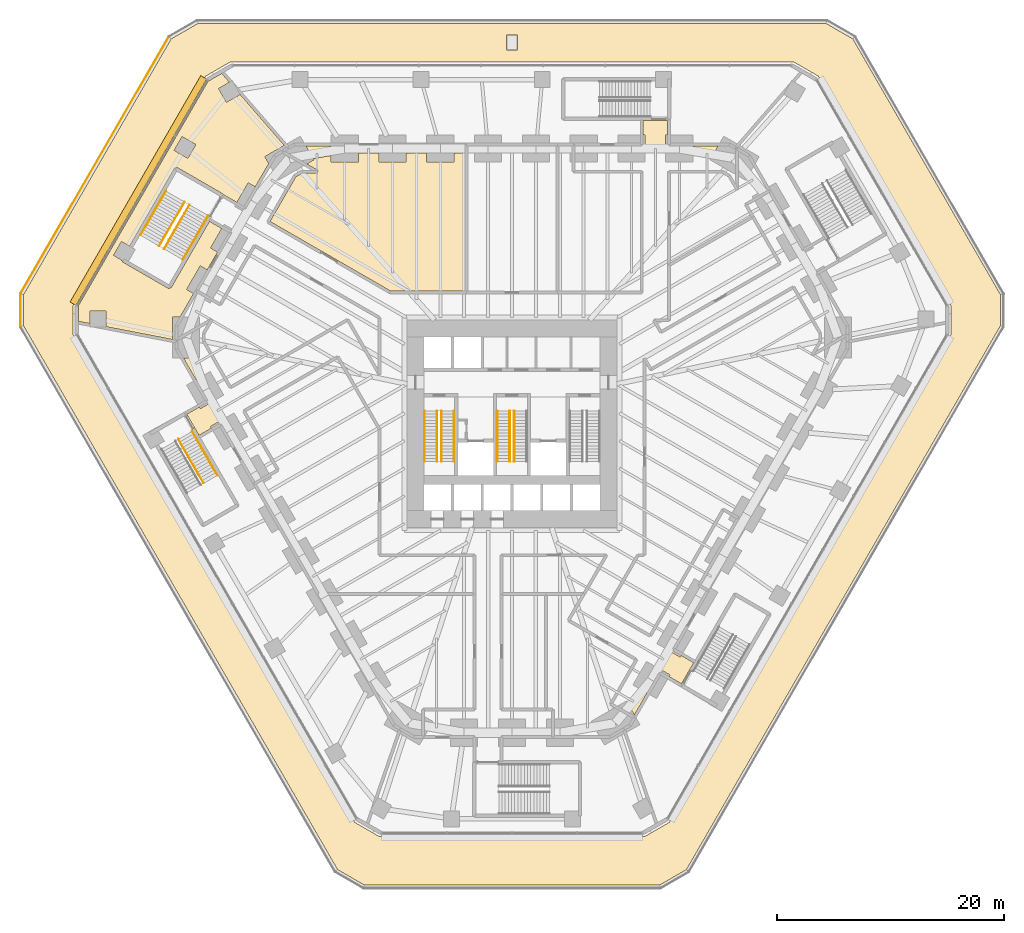
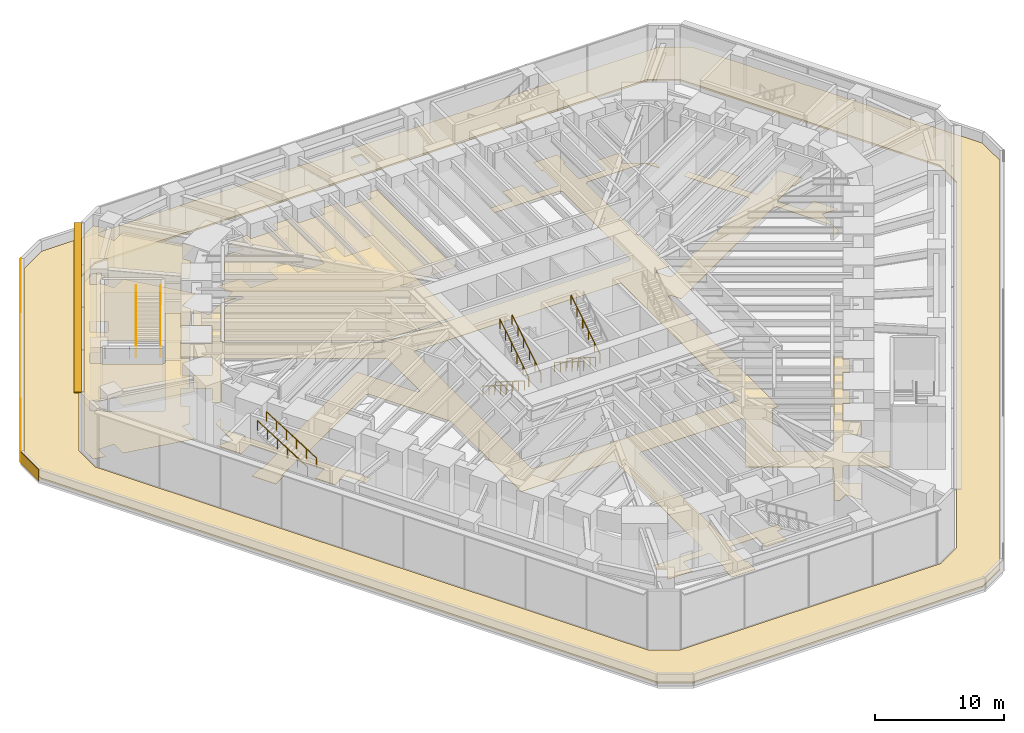
# One storey, part 22 of 24: 13 railings, 8 coverings, 1 shading device.
"""IFC4 building model written with IfcOpenShell, lengths in metres."""

from ifc_helpers import new_model, si_unit, direction, frame, frame_2d, origin, origin_2d, place, context, subcontext, project, spatial, polyline, rectangle, circle, outline, extrude, material, layer, layer_set, type_object, element, save


model = new_model("IFC4")

# Units and contexts
model_context = context("Model", 3, precision=1e-05, world=origin(), true_north=direction((0.0, 1.0)))
body_context = subcontext(model_context, "Body", "Model", "MODEL_VIEW")
ifc_project = project(units=[si_unit("LENGTHUNIT", "METRE"), si_unit("AREAUNIT", "SQUARE_METRE"), si_unit("VOLUMEUNIT", "CUBIC_METRE"), si_unit("PLANEANGLEUNIT", "RADIAN"), si_unit("MASSUNIT", "GRAM", prefix="KILO")], contexts=[model_context])

# Site, building, storey
site_placement = place(None, origin())
site = spatial("IfcSite", under=ifc_project, at=site_placement, CompositionType="ELEMENT")
building_placement = place(site_placement, origin())
building = spatial("IfcBuilding", under=site, at=building_placement, Name="Sandreach Pilgrim Tower", CompositionType="ELEMENT")
storey_placement = place(building_placement, frame((0.0, 0.0, 12.0)))
storey = spatial("IfcBuildingStorey", under=building, at=storey_placement, Name="L02", CompositionType="ELEMENT", Elevation=12.0)

# Coverings
ifc_material_1 = material(Name="Nylon carpet tile on the slab", Category="textile")
ifc_layer_1 = layer(ifc_material_1, 0.008056640625)
ifc_layer_set_1 = layer_set([ifc_layer_1], Name="Carpet tile")
covering_type_1 = type_object("IfcCoveringType", Name="Carpet tile", PredefinedType="FLOORING", material=ifc_layer_set_1)
covering_1_placement = place(storey_placement, origin())
element("IfcCovering", 1, at=covering_1_placement, inside=storey, type_object=covering_type_1, Name="Floor finish 02B2 Women's prayer anteroom", PredefinedType="FLOORING", context=body_context, shape_type="SweptSolid", body=[
    extrude(outline(polyline([(-5.114990234375, 22.925048828125), (-4.125, 22.925048828125), (-4.125, 10.14501953125), (-10.696533203125, 10.14501953125), (-21.309326171875, 16.265869140625), (-19.038330078125, 20.19873046875), (-18.476318359375, 20.52490234375), (-17.139892578125, 20.52490234375), (-17.07763671875, 20.75830078125), (-18.075439453125, 21.3330078125), (-17.447509765625, 21.695556640625), (-18.1572265625, 22.925048828125), (-15.934814453125, 22.925048828125), (-15.934814453125, 21.48876953125), (-13.53466796875, 21.48876953125), (-13.53466796875, 22.925048828125), (-11.724853515625, 22.925048828125), (-11.724853515625, 21.48876953125), (-9.32470703125, 21.48876953125), (-9.32470703125, 22.925048828125), (-7.514892578125, 22.925048828125), (-7.514892578125, 21.48876953125), (-5.114990234375, 21.48876953125), (-5.114990234375, 22.925048828125)])), origin(), (0.0, 0.0, 1.0), 0.008056640625),
])
ifc_material_2 = material(Name="Gypsum board suspended ceiling on a steel grid", Category="steel")
ifc_layer_2 = layer(ifc_material_2, 0.012939453125)
ifc_layer_set_2 = layer_set([ifc_layer_2], Name="Gypsum board suspended ceiling")
covering_type_2 = type_object("IfcCoveringType", Name="Gypsum board suspended ceiling", PredefinedType="CEILING", material=ifc_layer_set_2)
covering_2_placement = place(storey_placement, frame((0.0, 0.0, 4.64990234375)))
element("IfcCovering", 2, at=covering_2_placement, inside=storey, type_object=covering_type_2, Name="Ceiling 02B2 Women's prayer anteroom", PredefinedType="CEILING", context=body_context, shape_type="SweptSolid", body=[
    extrude(outline(polyline([(-15.934814453125, 22.072265625), (-15.934814453125, 21.48876953125), (-13.53466796875, 21.48876953125), (-13.53466796875, 22.288818359375), (-11.724853515625, 22.288818359375), (-11.724853515625, 21.48876953125), (-9.32470703125, 21.48876953125), (-9.32470703125, 22.288818359375), (-7.514892578125, 22.288818359375), (-7.514892578125, 21.48876953125), (-5.114990234375, 21.48876953125), (-5.114990234375, 22.288818359375), (-4.125, 22.288818359375), (-4.125, 10.14501953125), (-10.696533203125, 10.14501953125), (-21.309326171875, 16.265869140625), (-19.038330078125, 20.19873046875), (-18.476318359375, 20.52490234375), (-17.139892578125, 20.52490234375), (-17.07763671875, 20.75830078125), (-18.075439453125, 21.3330078125), (-17.447509765625, 21.695556640625), (-17.505859375, 21.796875), (-15.934814453125, 22.072265625)])), origin(), (0.0, 0.0, 1.0), 0.01318359375),
])
ifc_material_3 = material(Name="Moisture-resistant gypsum board suspended ceiling on a steel grid", Category="steel")
ifc_layer_3 = layer(ifc_material_3, 0.01611328125)
ifc_layer_set_3 = layer_set([ifc_layer_3], Name="Moisture-resistant gypsum board ceiling")
covering_type_3 = type_object("IfcCoveringType", Name="Moisture-resistant gypsum board ceiling", PredefinedType="CEILING", material=ifc_layer_set_3)
covering_3_placement = place(storey_placement, frame((0.0, 0.0, 4.5)))
element("IfcCovering", 3, at=covering_3_placement, inside=storey, type_object=covering_type_3, Name="Ceiling 0206 Ablution room block west", PredefinedType="CEILING", context=body_context, shape_type="SweptSolid", body=[
    extrude(outline(polyline([(-38.156982421875, 8.887451171875), (-26.775390625, 28.60107421875), (-25.55126953125, 29.3076171875), (-24.875, 28.52783203125), (-25.84130859375, 27.969970703125), (-25.141357421875, 26.75732421875), (-23.940673828125, 27.45068359375), (-20.050048828125, 22.96435546875), (-21.76513671875, 21.97412109375), (-21.417236328125, 21.371337890625), (-22.608154296875, 19.31396484375), (-23.22705078125, 19.67138671875), (-24.2216796875, 17.94873046875), (-25.4453125, 18.6494140625), (-25.4287109375, 18.677978515625), (-29.4990234375, 21.02783203125), (-29.52392578125, 20.98486328125), (-29.610595703125, 21.03466796875), (-29.6611328125, 20.9482421875), (-29.703857421875, 20.972900390625), (-33.67724609375, 14.09130859375), (-34.38525390625, 14.500244140625), (-35.085205078125, 13.28759765625), (-34.333984375, 12.853759765625), (-34.299072265625, 12.714111328125), (-30.228759765625, 10.364013671875), (-30.204345703125, 10.406494140625), (-30.1171875, 10.357421875), (-30.06640625, 10.443603515625), (-30.02392578125, 10.4189453125), (-26.636962890625, 16.285400390625), (-25.54736328125, 15.652587890625), (-26.538330078125, 13.936279296875), (-25.921630859375, 13.580322265625), (-26.83349609375, 12.00244140625), (-27.449462890625, 12.358154296875), (-28.6494140625, 10.279541015625), (-28.0341796875, 9.92431640625), (-29.22216796875, 7.862060546875), (-29.91259765625, 7.862060546875), (-29.91259765625, 5.879150390625), (-35.743408203125, 7.00439453125), (-35.743408203125, 8.394287109375), (-37.143310546875, 8.394287109375), (-37.143310546875, 7.2744140625), (-38.156982421875, 7.469970703125), (-38.156982421875, 8.887451171875)]), holes=[polyline([(-29.750244140625, 22.528564453125), (-28.53759765625, 21.828369140625), (-27.837646484375, 23.041015625), (-29.050048828125, 23.740966796875), (-29.750244140625, 22.528564453125)])]), origin(), (0.0, 0.0, 1.0), 0.01611328125),
])

# Shading device
ifc_material_4 = material(Name="Extruded aluminium sunshade blade, powder coated", Category="aluminium")
ifc_layer_4 = layer(ifc_material_4, 0.10009765625)
ifc_layer_set_4 = layer_set([ifc_layer_4], Name="Podium sunshade 600")
shading_device_type = type_object("IfcShadingDeviceType", Name="Podium sunshade 600", PredefinedType="AWNING", material=ifc_layer_set_4)
shading_device_placement = place(storey_placement, frame((-32.899169921875, 18.994384765625, 5.5), z_axis=(0.0, 0.0, 1.0), x_axis=(0.5, 0.866025403784, 0.0)))
element("IfcShadingDevice", 4, at=shading_device_placement, inside=storey, type_object=shading_device_type, Name="Sunshade L02 NW over NW", PredefinedType="AWNING", context=body_context, shape_type="SweptSolid", body=[
    extrude(rectangle(XDim=23.016845703125, YDim=0.60009765625, at=origin_2d()), origin(), (0.0, 0.0, 1.0), 0.10009765625),
])

# Covering
ifc_material_5 = material(Name="Porcelain tile on an adhesive bed", Category="ceramic")
ifc_layer_5 = layer(ifc_material_5, 0.011962890625)
ifc_layer_set_5 = layer_set([ifc_layer_5], Name="Porcelain tile")
covering_type_4 = type_object("IfcCoveringType", Name="Porcelain tile", PredefinedType="FLOORING", material=ifc_layer_set_5)
covering_4_placement = place(storey_placement, origin())
element("IfcCovering", 5, at=covering_4_placement, inside=storey, type_object=covering_type_4, Name="Floor finish 0206 Ablution room block west", PredefinedType="FLOORING", context=body_context, shape_type="SweptSolid", body=[
    extrude(outline(polyline([(-38.156982421875, 8.887451171875), (-26.775390625, 28.60107421875), (-25.55126953125, 29.3076171875), (-24.875, 28.52783203125), (-25.84130859375, 27.969970703125), (-25.141357421875, 26.75732421875), (-23.940673828125, 27.45068359375), (-20.050048828125, 22.96435546875), (-21.76513671875, 21.97412109375), (-21.417236328125, 21.371337890625), (-22.608154296875, 19.31396484375), (-23.22705078125, 19.67138671875), (-24.2216796875, 17.94873046875), (-25.4453125, 18.6494140625), (-25.4287109375, 18.677978515625), (-29.4990234375, 21.02783203125), (-29.52392578125, 20.98486328125), (-29.610595703125, 21.03466796875), (-29.6611328125, 20.9482421875), (-29.703857421875, 20.972900390625), (-33.67724609375, 14.09130859375), (-34.38525390625, 14.500244140625), (-35.085205078125, 13.28759765625), (-34.333984375, 12.853759765625), (-34.299072265625, 12.714111328125), (-30.228759765625, 10.364013671875), (-30.204345703125, 10.406494140625), (-30.1171875, 10.357421875), (-30.06640625, 10.443603515625), (-30.02392578125, 10.4189453125), (-26.636962890625, 16.285400390625), (-25.54736328125, 15.652587890625), (-26.538330078125, 13.936279296875), (-25.921630859375, 13.580322265625), (-26.83349609375, 12.00244140625), (-27.449462890625, 12.358154296875), (-28.6494140625, 10.279541015625), (-28.0341796875, 9.92431640625), (-29.22216796875, 7.862060546875), (-29.91259765625, 7.862060546875), (-29.91259765625, 5.879150390625), (-35.743408203125, 7.00439453125), (-35.743408203125, 8.394287109375), (-37.143310546875, 8.394287109375), (-37.143310546875, 7.2744140625), (-38.156982421875, 7.469970703125), (-38.156982421875, 8.887451171875)]), holes=[polyline([(-29.750244140625, 22.528564453125), (-28.53759765625, 21.828369140625), (-27.837646484375, 23.041015625), (-29.050048828125, 23.740966796875), (-29.750244140625, 22.528564453125)])]), origin(), (0.0, 0.0, 1.0), 0.011962890625),
])

# Railings
ifc_material_6 = material(Name="Stainless steel tube", Category="steel")
railing_type = type_object("IfcRailingType", Name="Stair handrail", PredefinedType="HANDRAIL", material=ifc_material_6)
for number, where, name in (
    (6, (-6.60009765625, -0.39990234375, 0.176513671875), "Handrail ST1 L02 flight 1"),
    (7, (-7.699951171875, -0.39990234375, 0.176513671875), "Handrail ST1 L02 flight 1"),
):
    element("IfcRailing", number, at=place(storey_placement, frame(where)), inside=storey, type_object=railing_type, Name=name, PredefinedType="HANDRAIL", context=body_context, shape_type="SweptSolid", body=[
        extrude(circle(Radius=0.02392578125, at=origin_2d()), frame((0.0, 0.0, 0.8759765625), z_axis=(0.0, -0.845997938375, 0.533186166611), x_axis=(1.0, 0.0, 0.0)), (0.0, 0.0, 1.0), 5.29541015625),
        extrude(circle(Radius=0.02099609375, at=origin_2d()), origin(), (0.0, 0.0, 1.0), 0.851806640625),
        extrude(circle(Radius=0.02099609375, at=origin_2d()), frame((0.0, -0.89599609375, 0.564697265625)), (0.0, 0.0, 1.0), 0.851806640625),
        extrude(circle(Radius=0.02099609375, at=origin_2d()), frame((0.0, -1.7919921875, 1.12939453125)), (0.0, 0.0, 1.0), 0.851806640625),
        extrude(circle(Radius=0.02099609375, at=origin_2d()), frame((0.0, -2.68798828125, 1.694091796875)), (0.0, 0.0, 1.0), 0.851806640625),
        extrude(circle(Radius=0.02099609375, at=origin_2d()), frame((0.0, -3.583984375, 2.2587890625)), (0.0, 0.0, 1.0), 0.851806640625),
        extrude(circle(Radius=0.02099609375, at=origin_2d()), frame((0.0, -4.47998046875, 2.823486328125)), (0.0, 0.0, 1.0), 0.851806640625),
    ])
for number, where, name in (
    (8, (-6.199951171875, -4.8798828125, 3.176513671875), "Handrail ST1 L02 flight 2"),
    (9, (-5.10009765625, -4.8798828125, 3.176513671875), "Handrail ST1 L02 flight 2"),
):
    element("IfcRailing", number, at=place(storey_placement, frame(where)), inside=storey, type_object=railing_type, Name=name, PredefinedType="HANDRAIL", context=body_context, shape_type="SweptSolid", body=[
        extrude(circle(Radius=0.02392578125, at=origin_2d()), frame((0.0, 0.0, 0.8759765625), z_axis=(0.0, 0.845997938375, 0.533186166611), x_axis=(-1.0, 0.0, 0.0)), (0.0, 0.0, 1.0), 5.29541015625),
        extrude(circle(Radius=0.02099609375, at=origin_2d()), origin(), (0.0, 0.0, 1.0), 0.851806640625),
        extrude(circle(Radius=0.02099609375, at=origin_2d()), frame((0.0, 0.89599609375, 0.564697265625)), (0.0, 0.0, 1.0), 0.851806640625),
        extrude(circle(Radius=0.02099609375, at=origin_2d()), frame((0.0, 1.7919921875, 1.12939453125)), (0.0, 0.0, 1.0), 0.851806640625),
        extrude(circle(Radius=0.02099609375, at=origin_2d()), frame((0.0, 2.68798828125, 1.694091796875)), (0.0, 0.0, 1.0), 0.851806640625),
        extrude(circle(Radius=0.02099609375, at=origin_2d()), frame((0.0, 3.583984375, 2.2587890625)), (0.0, 0.0, 1.0), 0.851806640625),
        extrude(circle(Radius=0.02099609375, at=origin_2d()), frame((0.0, 4.47998046875, 2.823486328125)), (0.0, 0.0, 1.0), 0.851806640625),
    ])
for number, where, name in (
    (10, (-0.199951171875, -0.39990234375, 0.176513671875), "Handrail ST3 L02 flight 1"),
    (11, (-1.300048828125, -0.39990234375, 0.176513671875), "Handrail ST3 L02 flight 1"),
):
    element("IfcRailing", number, at=place(storey_placement, frame(where)), inside=storey, type_object=railing_type, Name=name, PredefinedType="HANDRAIL", context=body_context, shape_type="SweptSolid", body=[
        extrude(circle(Radius=0.02392578125, at=origin_2d()), frame((0.0, 0.0, 0.8759765625), z_axis=(0.0, -0.845997938375, 0.533186166611), x_axis=(1.0, 0.0, 0.0)), (0.0, 0.0, 1.0), 5.29541015625),
        extrude(circle(Radius=0.02099609375, at=origin_2d()), origin(), (0.0, 0.0, 1.0), 0.851806640625),
        extrude(circle(Radius=0.02099609375, at=origin_2d()), frame((0.0, -0.89599609375, 0.564697265625)), (0.0, 0.0, 1.0), 0.851806640625),
        extrude(circle(Radius=0.02099609375, at=origin_2d()), frame((0.0, -1.7919921875, 1.12939453125)), (0.0, 0.0, 1.0), 0.851806640625),
        extrude(circle(Radius=0.02099609375, at=origin_2d()), frame((0.0, -2.68798828125, 1.694091796875)), (0.0, 0.0, 1.0), 0.851806640625),
        extrude(circle(Radius=0.02099609375, at=origin_2d()), frame((0.0, -3.583984375, 2.2587890625)), (0.0, 0.0, 1.0), 0.851806640625),
        extrude(circle(Radius=0.02099609375, at=origin_2d()), frame((0.0, -4.47998046875, 2.823486328125)), (0.0, 0.0, 1.0), 0.851806640625),
    ])
railing_1_placement = place(storey_placement, frame((0.199951171875, -4.8798828125, 3.176513671875)))
element("IfcRailing", 12, at=railing_1_placement, inside=storey, type_object=railing_type, Name="Handrail ST3 L02 flight 2", PredefinedType="HANDRAIL", context=body_context, shape_type="SweptSolid", body=[
    extrude(circle(Radius=0.02392578125, at=origin_2d()), frame((0.0, 0.0, 0.8759765625), z_axis=(0.0, 0.845997938375, 0.533186166611), x_axis=(-1.0, 0.0, 0.0)), (0.0, 0.0, 1.0), 5.29541015625),
    extrude(circle(Radius=0.02099609375, at=origin_2d()), origin(), (0.0, 0.0, 1.0), 0.851806640625),
    extrude(circle(Radius=0.02099609375, at=origin_2d()), frame((0.0, 0.89599609375, 0.564697265625)), (0.0, 0.0, 1.0), 0.851806640625),
    extrude(circle(Radius=0.02099609375, at=origin_2d()), frame((0.0, 1.7919921875, 1.12939453125)), (0.0, 0.0, 1.0), 0.851806640625),
    extrude(circle(Radius=0.02099609375, at=origin_2d()), frame((0.0, 2.68798828125, 1.694091796875)), (0.0, 0.0, 1.0), 0.851806640625),
    extrude(circle(Radius=0.02099609375, at=origin_2d()), frame((0.0, 3.583984375, 2.2587890625)), (0.0, 0.0, 1.0), 0.851806640625),
    extrude(circle(Radius=0.02099609375, at=origin_2d()), frame((0.0, 4.47998046875, 2.823486328125)), (0.0, 0.0, 1.0), 0.851806640625),
])
for number, where, name in (
    (13, (-28.830322265625, 17.986083984375, 0.176513671875), "Handrail ST6 L02 flight 1"),
    (14, (-30.475830078125, 18.93603515625, 0.176513671875), "Handrail ST6 L02 flight 1"),
):
    element("IfcRailing", number, at=place(storey_placement, frame(where)), inside=storey, type_object=railing_type, Name=name, PredefinedType="HANDRAIL", context=body_context, shape_type="SweptSolid", body=[
        extrude(circle(Radius=0.02392578125, at=origin_2d()), frame((0.0, 0.0, 0.8759765625), z_axis=(-0.42299277051, -0.732664971003, 0.533178353237), x_axis=(0.866031314237, -0.499989762656, 0.0)), (0.0, 0.0, 1.0), 5.295654296875),
        extrude(circle(Radius=0.02099609375, at=origin_2d()), origin(), (0.0, 0.0, 1.0), 0.851806640625),
        extrude(circle(Radius=0.02099609375, at=origin_2d()), frame((-0.447998046875, -0.77587890625, 0.564697265625)), (0.0, 0.0, 1.0), 0.851806640625),
        extrude(circle(Radius=0.02099609375, at=origin_2d()), frame((-0.89599609375, -1.552001953125, 1.12939453125)), (0.0, 0.0, 1.0), 0.851806640625),
        extrude(circle(Radius=0.02099609375, at=origin_2d()), frame((-1.343994140625, -2.327880859375, 1.694091796875)), (0.0, 0.0, 1.0), 0.851806640625),
        extrude(circle(Radius=0.02099609375, at=origin_2d()), frame((-1.7919921875, -3.10400390625, 2.2587890625)), (0.0, 0.0, 1.0), 0.851806640625),
        extrude(circle(Radius=0.02099609375, at=origin_2d()), frame((-2.239990234375, -3.8798828125, 2.823486328125)), (0.0, 0.0, 1.0), 0.851806640625),
    ])
for number, where, name in (
    (15, (-30.637451171875, 13.856201171875, 3.176513671875), "Handrail ST6 L02 flight 2"),
    (16, (-28.991943359375, 12.90625, 3.176513671875), "Handrail ST6 L02 flight 2"),
):
    element("IfcRailing", number, at=place(storey_placement, frame(where)), inside=storey, type_object=railing_type, Name=name, PredefinedType="HANDRAIL", context=body_context, shape_type="SweptSolid", body=[
        extrude(circle(Radius=0.02392578125, at=origin_2d()), frame((0.0, 0.0, 0.8759765625), z_axis=(0.42299277051, 0.732664971003, 0.533178353237), x_axis=(-0.866031314237, 0.499989762656, 0.0)), (0.0, 0.0, 1.0), 5.295654296875),
        extrude(circle(Radius=0.02099609375, at=origin_2d()), origin(), (0.0, 0.0, 1.0), 0.851806640625),
        extrude(circle(Radius=0.02099609375, at=origin_2d()), frame((0.447998046875, 0.77587890625, 0.564697265625)), (0.0, 0.0, 1.0), 0.851806640625),
        extrude(circle(Radius=0.02099609375, at=origin_2d()), frame((0.89599609375, 1.552001953125, 1.12939453125)), (0.0, 0.0, 1.0), 0.851806640625),
        extrude(circle(Radius=0.02099609375, at=origin_2d()), frame((1.343994140625, 2.327880859375, 1.694091796875)), (0.0, 0.0, 1.0), 0.851806640625),
        extrude(circle(Radius=0.02099609375, at=origin_2d()), frame((1.7919921875, 3.10400390625, 2.2587890625)), (0.0, 0.0, 1.0), 0.851806640625),
        extrude(circle(Radius=0.02099609375, at=origin_2d()), frame((2.239990234375, 3.8798828125, 2.823486328125)), (0.0, 0.0, 1.0), 0.851806640625),
    ])
railing_2_placement = place(storey_placement, frame((-27.144775390625, -6.78125, 3.176513671875)))
element("IfcRailing", 17, at=railing_2_placement, inside=storey, type_object=railing_type, Name="Handrail ST9 L02 flight 2", PredefinedType="HANDRAIL", context=body_context, shape_type="SweptSolid", body=[
    extrude(circle(Radius=0.02392578125, at=origin_2d()), frame((0.0, 0.0, 0.8759765625), z_axis=(-0.42299277051, 0.732664971003, 0.533178353237), x_axis=(-0.866031314237, -0.499989762656, 0.0)), (0.0, 0.0, 1.0), 5.295654296875),
    extrude(circle(Radius=0.02099609375, at=origin_2d()), origin(), (0.0, 0.0, 1.0), 0.851806640625),
    extrude(circle(Radius=0.02099609375, at=origin_2d()), frame((-0.447998046875, 0.77587890625, 0.564697265625)), (0.0, 0.0, 1.0), 0.851806640625),
    extrude(circle(Radius=0.02099609375, at=origin_2d()), frame((-0.89599609375, 1.552001953125, 1.12939453125)), (0.0, 0.0, 1.0), 0.851806640625),
    extrude(circle(Radius=0.02099609375, at=origin_2d()), frame((-1.343994140625, 2.327880859375, 1.694091796875)), (0.0, 0.0, 1.0), 0.851806640625),
    extrude(circle(Radius=0.02099609375, at=origin_2d()), frame((-1.7919921875, 3.10400390625, 2.2587890625)), (0.0, 0.0, 1.0), 0.851806640625),
    extrude(circle(Radius=0.02099609375, at=origin_2d()), frame((-2.239990234375, 3.8798828125, 2.823486328125)), (0.0, 0.0, 1.0), 0.851806640625),
])
railing_3_placement = place(storey_placement, frame((-25.932373046875, -6.0810546875, 3.176513671875)))
element("IfcRailing", 18, at=railing_3_placement, inside=storey, type_object=railing_type, Name="Handrail ST9 L02 flight 2", PredefinedType="HANDRAIL", context=body_context, shape_type="SweptSolid", body=[
    extrude(circle(Radius=0.02392578125, at=origin_2d()), frame((0.0, 0.0, 0.8759765625), z_axis=(-0.423007058581, 0.732643615031, 0.533196363214), x_axis=(-0.866017690131, -0.500013360201, 0.0)), (0.0, 0.0, 1.0), 5.29541015625),
    extrude(circle(Radius=0.02099609375, at=origin_2d()), origin(), (0.0, 0.0, 1.0), 0.851806640625),
    extrude(circle(Radius=0.02099609375, at=origin_2d()), frame((-0.447998046875, 0.77587890625, 0.564697265625)), (0.0, 0.0, 1.0), 0.851806640625),
    extrude(circle(Radius=0.02099609375, at=origin_2d()), frame((-0.89599609375, 1.5517578125, 1.12939453125)), (0.0, 0.0, 1.0), 0.851806640625),
    extrude(circle(Radius=0.02099609375, at=origin_2d()), frame((-1.343994140625, 2.327880859375, 1.694091796875)), (0.0, 0.0, 1.0), 0.851806640625),
    extrude(circle(Radius=0.02099609375, at=origin_2d()), frame((-1.7919921875, 3.103759765625, 2.2587890625)), (0.0, 0.0, 1.0), 0.851806640625),
    extrude(circle(Radius=0.02099609375, at=origin_2d()), frame((-2.239990234375, 3.879638671875, 2.823486328125)), (0.0, 0.0, 1.0), 0.851806640625),
])

# Coverings
ifc_material_7 = material(Name="Concrete pavers on pedestals, insulation and waterproofing membrane", Category="concrete")
ifc_layer_6 = layer(ifc_material_7, 0.14990234375)
ifc_layer_set_6 = layer_set([ifc_layer_6], Name="Terrace roofing - pavers on pedestals over insulation and membrane")
covering_type_5 = type_object("IfcCoveringType", Name="Terrace roofing - pavers on pedestals over insulation and membrane", PredefinedType="ROOFING", material=ifc_layer_set_6)
covering_5_placement = place(storey_placement, origin())
element("IfcCovering", 19, at=covering_5_placement, inside=storey, type_object=covering_type_5, Name="Terrace roofing L02 RING", PredefinedType="ROOFING", context=body_context, shape_type="SweptSolid", body=[
    extrude(outline(polyline([(-27.653564453125, 33.7021484375), (27.653564453125, 33.7021484375), (30.010986328125, 32.343017578125), (43.015380859375, 9.81884765625), (43.013671875, 7.09765625), (15.360107421875, -40.7998046875), (13.00439453125, -42.161865234375), (-13.00439453125, -42.161865234375), (-15.360107421875, -40.7998046875), (-43.013671875, 7.09765625), (-43.015380859375, 9.81884765625), (-30.010986328125, 32.343017578125), (-27.653564453125, 33.7021484375)]), holes=[polyline([(-26.9716796875, 29.060791015625), (-38.6533203125, 8.82763671875), (-38.6533203125, 6.32763671875), (-13.8466796875, -36.638671875), (-11.681640625, -37.888671875), (11.681640625, -37.888671875), (13.8466796875, -36.638671875), (38.6533203125, 6.32763671875), (38.6533203125, 8.82763671875), (26.9716796875, 29.060791015625), (24.806640625, 30.310791015625), (-24.806640625, 30.310791015625), (-26.9716796875, 29.060791015625)]), polyline([(0.5, 31.37939453125), (0.5, 32.679443359375), (-0.5, 32.679443359375), (-0.5, 31.37939453125), (0.5, 31.37939453125)])]), origin(), (0.0, 0.0, 1.0), 0.14990234375),
])
ifc_material_8 = material(Name="Terracotta rainscreen panels on aluminium rails", Category="masonry")
ifc_layer_7 = layer(ifc_material_8, 0.050048828125)
ifc_layer_set_7 = layer_set([ifc_layer_7], Name="Terracotta rainscreen cladding 50")
covering_type_6 = type_object("IfcCoveringType", Name="Terracotta rainscreen cladding 50", PredefinedType="CLADDING", material=ifc_layer_set_7)
covering_6_placement = place(storey_placement, frame((-30.236083984375, 32.51318359375, 0.0), z_axis=(0.0, 0.0, 1.0), x_axis=(-0.500004465561, -0.866022825576, 0.0)))
element("IfcCovering", 20, at=covering_6_placement, inside=storey, type_object=covering_type_6, Name="Rainscreen cladding on setback parapet l02 2", PredefinedType="CLADDING", context=body_context, shape_type="SweptSolid", body=[
    extrude(rectangle(XDim=26.078369140625, YDim=0.050048828125, at=frame_2d((13.0390625, 0.0))), origin(), (0.0, 0.0, 1.0), 1.10009765625),
])
covering_7_placement = place(storey_placement, frame((-43.29541015625, 9.853515625, 0.0), z_axis=(0.0, 0.0, 1.0), x_axis=(0.000612369757, -0.999999812502, 0.0)))
element("IfcCovering", 21, at=covering_7_placement, inside=storey, type_object=covering_type_6, Name="Rainscreen cladding on setback parapet l02 3", PredefinedType="CLADDING", context=body_context, shape_type="SweptSolid", body=[
    extrude(rectangle(XDim=2.790771484375, YDim=0.050048828125, at=frame_2d((1.3955078125, 0.0))), origin(), (0.0, 0.0, 1.0), 1.10009765625),
])
ifc_material_9 = material(Name="Cement terrazzo, ground and polished", Category="terrazzo")
ifc_layer_8 = layer(ifc_material_9, 0.02490234375)
ifc_layer_set_8 = layer_set([ifc_layer_8], Name="Terrazzo")
covering_type_7 = type_object("IfcCoveringType", Name="Terrazzo", PredefinedType="FLOORING", material=ifc_layer_set_8)
covering_8_placement = place(storey_placement, origin())
element("IfcCovering", 22, at=covering_8_placement, inside=storey, type_object=covering_type_7, Name="Floor finish 02C Upper prayer foyer", PredefinedType="FLOORING", context=body_context, shape_type="SweptSolid", body=[
    extrude(outline(polyline([(-27.5126953125, 6.868896484375), (-26.77490234375, 7.2958984375), (-27.489990234375, 6.067138671875), (-24.908203125, 1.587646484375), (-24.800048828125, 1.64990234375), (-24.737548828125, 1.541748046875), (-14.505859375, 7.44921875), (-11.7783203125, 2.717529296875), (-11.544921875, 2.780029296875), (-11.544921875, 7.7900390625), (-11.670166015625, 7.7900390625), (-11.607666015625, 7.898193359375), (-22.617431640625, 14.248291015625), (-22.679931640625, 14.14013671875), (-22.7880859375, 14.20263671875), (-25.725830078125, 9.12060546875), (-26.342041015625, 9.476318359375), (-25.370849609375, 11.157958984375), (-26.616943359375, 11.87744140625), (-25.705078125, 13.455322265625), (-24.459716796875, 12.736328125), (-23.259765625, 14.814697265625), (-25.338134765625, 16.0146484375), (-25.42236328125, 15.869140625), (-26.511962890625, 16.501708984375), (-25.436279296875, 18.364990234375), (-24.3466796875, 17.732177734375), (-24.427001953125, 17.5927734375), (-22.3486328125, 16.392822265625), (-21.148681640625, 18.47119140625), (-22.3916015625, 19.18896484375), (-21.27294921875, 21.12158203125), (-20.565185546875, 19.8955078125), (-18.325439453125, 21.188720703125), (-17.607421875, 20.77490234375), (-18.994384765625, 20.77490234375), (-21.588134765625, 16.282470703125), (-21.47998046875, 16.219970703125), (-21.54248046875, 16.11181640625), (-10.763427734375, 9.89501953125), (11.429931640625, 9.89501953125), (11.429931640625, 10.02001953125), (11.554931640625, 10.02001953125), (11.554931640625, 20.64990234375), (11.429931640625, 20.64990234375), (11.429931640625, 20.77490234375), (5.554931640625, 20.77490234375), (5.554931640625, 21.48876953125), (7.514892578125, 21.48876953125), (7.514892578125, 22.925048828125), (9.32470703125, 22.925048828125), (9.32470703125, 21.48876953125), (11.724853515625, 21.48876953125), (11.724853515625, 23.888671875), (11.554931640625, 23.888671875), (11.554931640625, 25.148681640625), (13.705078125, 25.148681640625), (13.705078125, 23.888671875), (13.53466796875, 23.888671875), (13.53466796875, 21.48876953125), (15.934814453125, 21.48876953125), (15.934814453125, 22.925048828125), (18.1572265625, 22.925048828125), (17.447509765625, 21.695556640625), (19.69775390625, 20.396484375), (19.702392578125, 19.55029296875), (18.993896484375, 20.77490234375), (13.830078125, 20.77490234375), (13.830078125, 20.64990234375), (13.705078125, 20.64990234375), (13.705078125, 7.695068359375), (12.5, 7.695068359375), (12.5, 7.570068359375), (12.391845703125, 7.507080078125), (13.001953125, 6.457275390625), (13.111328125, 6.517822265625), (13.172607421875, 6.411865234375), (23.652587890625, 12.461669921875), (23.590087890625, 12.570068359375), (23.6982421875, 12.632568359375), (20.760498046875, 17.714111328125), (21.379638671875, 18.0712890625), (22.3486328125, 16.392822265625), (23.593994140625, 17.11181640625), (24.505859375, 15.5341796875), (23.259765625, 14.814697265625), (24.459716796875, 12.736328125), (26.538330078125, 13.936279296875), (26.456298828125, 14.078125), (27.548583984375, 14.706298828125), (28.6240234375, 12.84326171875), (27.531982421875, 12.215087890625), (27.449462890625, 12.358154296875), (25.370849609375, 11.157958984375), (26.571044921875, 9.07958984375), (27.81640625, 9.798583984375), (28.93310546875, 7.862060546875), (27.5126953125, 7.862060546875), (27.5126953125, 5.280029296875), (26.793701171875, 4.863525390625), (27.48974609375, 6.064208984375), (24.898193359375, 10.552490234375), (24.7900390625, 10.489990234375), (24.7275390625, 10.598388671875), (12.275390625, 3.410400390625), (11.778076171875, 4.262939453125), (11.544921875, 4.199951171875), (11.544921875, -12.9951171875), (11.10009765625, -12.9951171875), (11.10009765625, -13.131591796875), (10.9716796875, -13.0576171875), (8.171630859375, -17.91748046875), (8.280029296875, -17.97998046875), (8.2177734375, -18.08837890625), (12.107666015625, -20.328369140625), (12.169921875, -20.219970703125), (12.2783203125, -20.282470703125), (18.64599609375, -9.26025390625), (19.2626953125, -9.613525390625), (19.062255859375, -9.960693359375), (19.53759765625, -10.235107421875), (18.632568359375, -11.802490234375), (18.1572265625, -11.528076171875), (16.957275390625, -13.6064453125), (17.432373046875, -13.880859375), (16.52734375, -15.4482421875), (16.05224609375, -15.174072265625), (14.852294921875, -17.25244140625), (16.0986328125, -17.971923828125), (15.19287109375, -19.5390625), (13.947265625, -18.81982421875), (12.747314453125, -20.8984375), (14.825927734375, -22.098388671875), (14.912109375, -21.948974609375), (16.001708984375, -22.58154296875), (14.926025390625, -24.44482421875), (13.83642578125, -23.81201171875), (13.9208984375, -23.665771484375), (11.842529296875, -22.4658203125), (10.642333984375, -24.544189453125), (11.88525390625, -25.26171875), (10.772705078125, -27.18310546875), (10.065185546875, -25.957763671875), (9.283447265625, -26.4091796875), (8.8798828125, -26.175537109375), (11.078369140625, -22.362548828125), (10.951904296875, -22.28955078125), (11.00244140625, -22.20166015625), (5.14111328125, -18.814453125), (6.439453125, -16.583251953125), (6.452880859375, -16.5908203125), (8.418212890625, -13.182373046875), (8.31005859375, -13.1201171875), (8.31005859375, -12.9951171875), (-0.909912109375, -12.9951171875), (-0.909912109375, -13.1201171875), (-1.034912109375, -13.1201171875), (-1.034912109375, -26.7099609375), (-0.9111328125, -26.7099609375), (-0.909423828125, -26.8349609375), (3.485107421875, -26.81494140625), (3.485107421875, -27.55078125), (3.022216796875, -27.55078125), (3.022216796875, -28.985107421875), (1.199951171875, -28.985107421875), (1.199951171875, -27.55078125), (-1.199951171875, -27.55078125), (-1.199951171875, -29.950927734375), (-1.034912109375, -29.950927734375), (-1.034912109375, -31.2109375), (-3.18505859375, -31.2109375), (-3.18505859375, -29.950927734375), (-3.022216796875, -29.950927734375), (-3.022216796875, -27.55078125), (-5.42236328125, -27.55078125), (-5.42236328125, -28.985107421875), (-7.656005859375, -28.985107421875), (-6.947509765625, -27.7578125), (-7.705078125, -27.3203125), (-7.705078125, -26.815673828125), (-3.310546875, -26.8349609375), (-3.31005859375, -26.7099609375), (-3.18505859375, -26.7099609375), (-3.18505859375, -13.1201171875), (-3.31005859375, -13.1201171875), (-3.31005859375, -12.9951171875), (-11.544921875, -12.9951171875), (-11.544921875, -1.986572265625), (-15.231689453125, 4.402587890625), (-15.340087890625, 4.340087890625), (-15.402587890625, 4.4482421875), (-23.66259765625, -0.32177734375), (-23.60009765625, -0.429931640625), (-23.708251953125, -0.492431640625), (-20.770751953125, -5.57421875), (-21.388916015625, -5.930908203125), (-22.3671875, -4.236328125), (-23.614501953125, -4.956298828125), (-24.519775390625, -3.38916015625), (-23.272216796875, -2.6689453125), (-24.47216796875, -0.59033203125), (-26.550537109375, -1.790283203125), (-26.465576171875, -1.937744140625), (-27.557861328125, -2.56591796875), (-28.63330078125, -0.702880859375), (-27.541259765625, -0.07470703125), (-27.45556640625, -0.222900390625), (-25.377197265625, 0.97705078125), (-26.5771484375, 3.055419921875), (-27.82373046875, 2.335693359375), (-28.935302734375, 4.26220703125), (-27.5126953125, 4.26220703125), (-27.5126953125, 6.868896484375)]), holes=[polyline([(9.27001953125, -10.719970703125), (9.27001953125, 7.6201171875), (-9.27001953125, 7.6201171875), (-9.27001953125, -10.719970703125), (9.27001953125, -10.719970703125)])]), origin(), (0.0, 0.0, 1.0), 0.02490234375),
])

save(model, "model.ifc")
